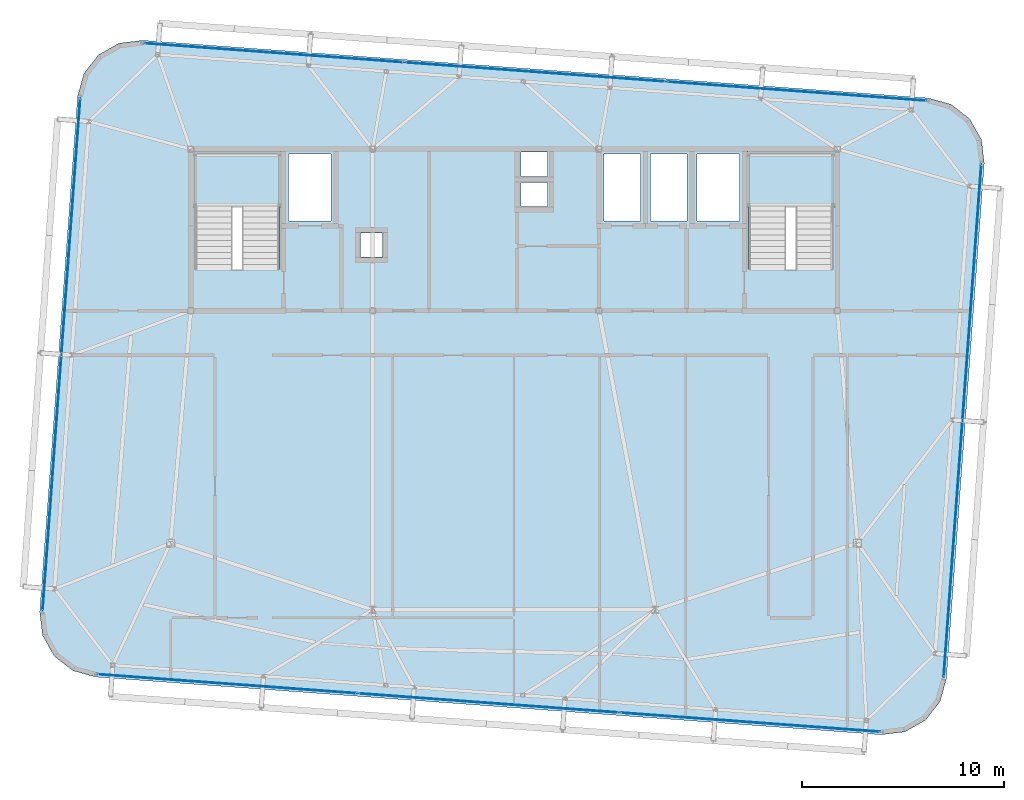
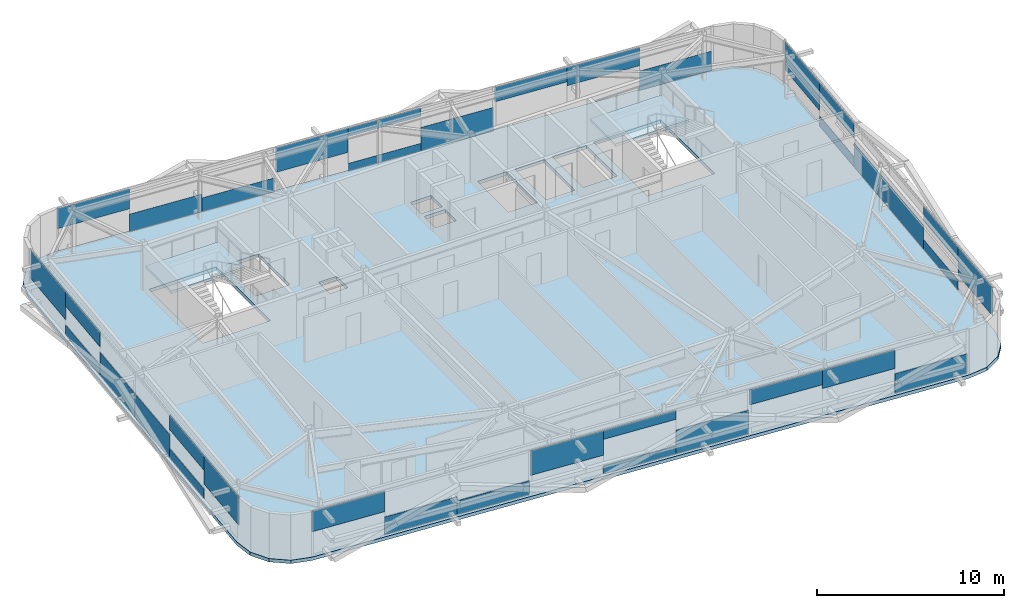
# One storey, part 23 of 34: 36 plates, 3 slabs, 6 elements without a shape of their own.
"""IFC4 building model written with IfcOpenShell, lengths in metres."""

from ifc_helpers import new_model, si_unit, direction, frame, origin, origin_2d, place, context, subcontext, project, spatial, polyline, rectangle, outline, extrude, source, transform, mapped, material, layer, layer_set, type_object, element, aggregate, save


model = new_model("IFC4")

# Units and contexts
model_context = context("Model", 3, precision=1e-05, world=origin(), true_north=direction((0.0, 1.0)))
body_context = subcontext(model_context, "Body", "Model", "MODEL_VIEW")
ifc_project = project(units=[si_unit("LENGTHUNIT", "METRE"), si_unit("AREAUNIT", "SQUARE_METRE"), si_unit("VOLUMEUNIT", "CUBIC_METRE"), si_unit("PLANEANGLEUNIT", "RADIAN"), si_unit("MASSUNIT", "GRAM", prefix="KILO")], contexts=[model_context])

# Site, building, storey
site_placement = place(None, origin())
site = spatial("IfcSite", under=ifc_project, at=site_placement, CompositionType="ELEMENT")
building_placement = place(site_placement, origin())
building = spatial("IfcBuilding", under=site, at=building_placement, Name="Taldren Reach Tower", CompositionType="ELEMENT")
storey_placement = place(building_placement, frame((0.0, 0.0, 242.89990234375)))
storey = spatial("IfcBuildingStorey", under=building, at=storey_placement, Name="L74", CompositionType="ELEMENT", Elevation=242.89990234375)

# Slab
ifc_material_1 = material(Name="Concrete N40 (40 MPa)", Category="concrete")
ifc_layer_1 = layer(ifc_material_1, 0.219970703125)
ifc_layer_set_1 = layer_set([ifc_layer_1], Name="Concrete N40 (40 MPa)")
slab_type_1 = type_object("IfcSlabType", Name="SL-FLR-220", PredefinedType="FLOOR", material=ifc_layer_set_1)
slab_1_placement = place(storey_placement, frame((0.0, 0.0, -0.219970703125)))
element("IfcSlab", 1, at=slab_1_placement, inside=storey, type_object=slab_type_1, Name="Suspended floor slab L74", PredefinedType="FLOOR", context=body_context, shape_type="SweptSolid", body=[
    extrude(outline(polyline([(53.1904296875, 3.014404296875), (54.35205078125, 3.157958984375), (55.370361328125, 3.7353515625), (56.09033203125, 4.658203125), (56.402099609375, 5.78662109375), (58.277099609375, 31.31787109375), (58.13330078125, 32.4794921875), (57.55615234375, 33.497802734375), (56.633056640625, 34.217529296875), (55.5048828125, 34.529541015625), (16.609619140625, 37.3857421875), (15.44775390625, 37.241943359375), (14.429443359375, 36.664794921875), (13.709716796875, 35.74169921875), (13.39794921875, 34.613525390625), (11.52294921875, 9.082275390625), (11.666748046875, 7.920654296875), (12.243896484375, 6.90234375), (13.1669921875, 6.182373046875), (14.295166015625, 5.87060546875), (53.1904296875, 3.014404296875)]), holes=[polyline([(19.219970703125, 26.050048828125), (23.3798828125, 26.050048828125), (23.3798828125, 31.820068359375), (19.219970703125, 31.820068359375), (19.219970703125, 26.050048828125)]), polyline([(46.6201171875, 26.050048828125), (50.780029296875, 26.050048828125), (50.780029296875, 31.820068359375), (46.6201171875, 31.820068359375), (46.6201171875, 26.050048828125)]), polyline([(23.85009765625, 28.449951171875), (25.949951171875, 28.449951171875), (25.949951171875, 31.75), (23.85009765625, 31.75), (23.85009765625, 28.449951171875)]), polyline([(44.050048828125, 28.449951171875), (46.14990234375, 28.449951171875), (46.14990234375, 31.75), (44.050048828125, 31.75), (44.050048828125, 28.449951171875)]), polyline([(39.449951171875, 28.449951171875), (41.25, 28.449951171875), (41.25, 31.75), (39.449951171875, 31.75), (39.449951171875, 28.449951171875)]), polyline([(41.75, 28.449951171875), (43.550048828125, 28.449951171875), (43.550048828125, 31.75), (41.75, 31.75), (41.75, 28.449951171875)]), polyline([(35.35009765625, 30.64990234375), (36.64990234375, 30.64990234375), (36.64990234375, 31.85009765625), (35.35009765625, 31.85009765625), (35.35009765625, 30.64990234375)]), polyline([(35.35009765625, 29.14990234375), (36.64990234375, 29.14990234375), (36.64990234375, 30.35009765625), (35.35009765625, 30.35009765625), (35.35009765625, 29.14990234375)]), polyline([(27.39990234375, 26.64990234375), (28.5, 26.64990234375), (28.5, 27.85009765625), (27.39990234375, 27.85009765625), (27.39990234375, 26.64990234375)])]), origin(), (0.0, 0.0, 1.0), 0.219970703125),
])

# Stair, slab
ifc_material_2 = material(Name="Concrete S50 (50 MPa)", Category="concrete")
stair_type = type_object("IfcStairType", Name="ST-HT-315", PredefinedType="HALF_TURN_STAIR", material=ifc_material_2)
stair_1_placement = place(storey_placement, origin())
stair_1 = element("IfcStair", 2, at=stair_1_placement, inside=storey, type_object=stair_type, Name="Fire-isolated exit stair ST1 L74", PredefinedType="HALF_TURN_STAIR")
ifc_layer_2 = layer(ifc_material_2, 0.179931640625)
ifc_layer_set_2 = layer_set([ifc_layer_2], Name="Concrete S50 (50 MPa)")
slab_type_2 = type_object("IfcSlabType", Name="SL-LAND-180", PredefinedType="LANDING", material=ifc_layer_set_2)
slab_2_placement = place(storey_placement, frame((0.0, 0.0, 1.39501953125)))
slab_2 = element("IfcSlab", 3, at=slab_2_placement, type_object=slab_type_2, Name="ST1 landing 1", PredefinedType="LANDING", context=body_context, shape_type="SweptSolid", body=[
    extrude(outline(polyline([(19.0400390625, 29.135009765625), (23.56005859375, 29.135009765625), (23.56005859375, 31.8701171875), (19.0400390625, 31.8701171875), (19.0400390625, 29.135009765625)])), origin(), (0.0, 0.0, 1.0), 0.18017578125),
])
aggregate(stair_1, [slab_2])

stair_2_placement = place(storey_placement, origin())
stair_2 = element("IfcStair", 4, at=stair_2_placement, inside=storey, type_object=stair_type, Name="Fire-isolated exit stair ST2 L74", PredefinedType="HALF_TURN_STAIR")
slab_3_placement = place(storey_placement, frame((0.0, 0.0, 1.39501953125)))
slab_3 = element("IfcSlab", 5, at=slab_3_placement, type_object=slab_type_2, Name="ST2 landing 1", PredefinedType="LANDING", context=body_context, shape_type="SweptSolid", body=[
    extrude(outline(polyline([(46.43994140625, 29.135009765625), (50.9599609375, 29.135009765625), (50.9599609375, 31.8701171875), (46.43994140625, 31.8701171875), (46.43994140625, 29.135009765625)])), origin(), (0.0, 0.0, 1.0), 0.18017578125),
])
aggregate(stair_2, [slab_3])

# Curtain wall, plate
ifc_material_3 = material(Name="Aluminium and Low-E Glass Unitised System", Category="aluminium")
ifc_layer_3 = layer(ifc_material_3, 0.159912109375)
ifc_layer_set_3 = layer_set([ifc_layer_3], Name="Aluminium and Low-E Glass Unitised System")
curtain_wall_type = type_object("IfcCurtainWallType", Name="CW-SYS-6", PredefinedType="NOTDEFINED", material=ifc_layer_set_3)
curtain_wall_1_placement = place(storey_placement, origin())
curtain_wall_1 = element("IfcCurtainWall", 6, at=curtain_wall_1_placement, inside=storey, type_object=curtain_wall_type, Name="Unitised curtain wall CW-L74-S", PredefinedType="NOTDEFINED")
ifc_material_4 = material(Name="Acoustic Triple-Laminated IGU", Category="glass")
ifc_layer_4 = layer(ifc_material_4, 0.035888671875)
ifc_layer_set_4 = layer_set([ifc_layer_4], Name="Acoustic Triple-Laminated IGU")
plate_type = type_object("IfcPlateType", Name="CW-PNL-IGU36", PredefinedType="CURTAIN_PANEL", material=ifc_layer_set_4)
shared_shape_1 = source(origin(), body_context, "Body", "SweptSolid", [
    extrude(rectangle(XDim=4.2958984375, YDim=0.035888671875, at=origin_2d()), origin(), (0.0, 0.0, 1.0), 1.314208984375),
])
plate_1_placement = place(storey_placement, frame((16.5224609375, 5.847412109375, 1.55615234375), z_axis=(0.0, 0.0, 1.0), x_axis=(0.997314476006, -0.073238213716, 0.0)))
plate_1 = element("IfcPlate", 7, at=plate_1_placement, type_object=plate_type, Name="CW-6 panel 1.1 part 1", PredefinedType="CURTAIN_PANEL", context=body_context, shape_type="MappedRepresentation", body=[
    mapped(shared_shape_1, transform((0.0, 0.0, 0.0), scale=1.0)),
])

curtain_wall_2_placement = place(storey_placement, origin())
curtain_wall_2 = element("IfcCurtainWall", 8, at=curtain_wall_2_placement, inside=storey, type_object=curtain_wall_type, Name="Unitised curtain wall CW-L74-N", PredefinedType="NOTDEFINED")
plate_2_placement = place(storey_placement, frame((18.816162109375, 37.083251953125, 1.55615234375), z_axis=(0.0, 0.0, 1.0), x_axis=(-0.997314476006, 0.073238213716, 0.0)))
plate_2 = element("IfcPlate", 9, at=plate_2_placement, type_object=plate_type, Name="CW-6 panel 3.1 part 3", PredefinedType="CURTAIN_PANEL", context=body_context, shape_type="MappedRepresentation", body=[
    mapped(shared_shape_1, transform((0.0, 0.0, 0.0), scale=1.0)),
])

# Plate
shared_shape_2 = source(origin(), body_context, "Body", "SweptSolid", [
    extrude(rectangle(XDim=4.2958984375, YDim=0.035888671875, at=origin_2d()), origin(), (0.0, 0.0, 1.0), 1.144287109375),
])
plate_3_placement = place(storey_placement, frame((20.806640625, 5.53271484375, 0.06005859375), z_axis=(0.0, 0.0, 1.0), x_axis=(0.997314476006, -0.073238213716, 0.0)))
plate_3 = element("IfcPlate", 10, at=plate_3_placement, type_object=plate_type, Name="CW-6 panel 1.1 part 2", PredefinedType="CURTAIN_PANEL", context=body_context, shape_type="MappedRepresentation", body=[
    mapped(shared_shape_2, transform((0.0, 0.0, 0.0), scale=1.0)),
])

plate_4_placement = place(storey_placement, frame((23.1005859375, 36.7685546875, 0.06005859375), z_axis=(0.0, 0.0, 1.0), x_axis=(-0.997314476006, 0.073238213716, 0.0)))
plate_4 = element("IfcPlate", 11, at=plate_4_placement, type_object=plate_type, Name="CW-6 panel 3.1 part 2", PredefinedType="CURTAIN_PANEL", context=body_context, shape_type="MappedRepresentation", body=[
    mapped(shared_shape_2, transform((0.0, 0.0, 0.0), scale=1.0)),
])

shared_shape_3 = source(origin(), body_context, "Body", "SweptSolid", [
    extrude(rectangle(XDim=4.2958984375, YDim=0.035888671875, at=origin_2d()), origin(), (0.0, 0.0, 1.0), 0.89306640625),
])
plate_5_placement = place(storey_placement, frame((25.091064453125, 5.21826171875, 0.06005859375), z_axis=(0.0, 0.0, 1.0), x_axis=(0.997314476006, -0.073238213716, 0.0)))
plate_5 = element("IfcPlate", 12, at=plate_5_placement, type_object=plate_type, Name="CW-6 panel 1.1 part 3", PredefinedType="CURTAIN_PANEL", context=body_context, shape_type="MappedRepresentation", body=[
    mapped(shared_shape_3, transform((0.0, 0.0, 0.0), scale=1.0)),
])

plate_6_placement = place(storey_placement, frame((27.384765625, 36.4541015625, 0.06005859375), z_axis=(0.0, 0.0, 1.0), x_axis=(-0.997314476006, 0.073238213716, 0.0)))
plate_6 = element("IfcPlate", 13, at=plate_6_placement, type_object=plate_type, Name="CW-6 panel 3.1 part 1", PredefinedType="CURTAIN_PANEL", context=body_context, shape_type="MappedRepresentation", body=[
    mapped(shared_shape_3, transform((0.0, 0.0, 0.0), scale=1.0)),
])

shared_shape_4 = source(origin(), body_context, "Body", "SweptSolid", [
    extrude(rectangle(XDim=4.308349609375, YDim=0.035888671875, at=origin_2d()), origin(), (0.0, 0.0, 1.0), 1.589599609375),
])
plate_7_placement = place(storey_placement, frame((29.456298828125, 4.897705078125, 1.2802734375), z_axis=(0.0, 0.0, 1.0), x_axis=(0.997314476006, -0.073238213716, 0.0)))
plate_7 = element("IfcPlate", 14, at=plate_7_placement, type_object=plate_type, Name="CW-6 panel 2.1 part 1", PredefinedType="CURTAIN_PANEL", context=body_context, shape_type="MappedRepresentation", body=[
    mapped(shared_shape_4, transform((0.0, 0.0, 0.0), scale=1.0)),
])

plate_8_placement = place(storey_placement, frame((31.750244140625, 36.133544921875, 1.2802734375), z_axis=(0.0, 0.0, 1.0), x_axis=(-0.997314476006, 0.073238213716, 0.0)))
plate_8 = element("IfcPlate", 15, at=plate_8_placement, type_object=plate_type, Name="CW-6 panel 2.1 part 4", PredefinedType="CURTAIN_PANEL", context=body_context, shape_type="MappedRepresentation", body=[
    mapped(shared_shape_4, transform((0.0, 0.0, 0.0), scale=1.0)),
])

shared_shape_5 = source(origin(), body_context, "Body", "SweptSolid", [
    extrude(rectangle(XDim=4.308349609375, YDim=0.035888671875, at=origin_2d()), origin(), (0.0, 0.0, 1.0), 0.499267578125),
])
plate_9_placement = place(storey_placement, frame((33.753173828125, 4.58203125, 0.06005859375), z_axis=(0.0, 0.0, 1.0), x_axis=(0.997314476006, -0.073238213716, 0.0)))
plate_9 = element("IfcPlate", 16, at=plate_9_placement, type_object=plate_type, Name="CW-6 panel 2.1 part 2", PredefinedType="CURTAIN_PANEL", context=body_context, shape_type="MappedRepresentation", body=[
    mapped(shared_shape_5, transform((0.0, 0.0, 0.0), scale=1.0)),
])

plate_10_placement = place(storey_placement, frame((36.046875, 35.81787109375, 0.06005859375), z_axis=(0.0, 0.0, 1.0), x_axis=(-0.997314476006, 0.073238213716, 0.0)))
plate_10 = element("IfcPlate", 17, at=plate_10_placement, type_object=plate_type, Name="CW-6 panel 2.1 part 2", PredefinedType="CURTAIN_PANEL", context=body_context, shape_type="MappedRepresentation", body=[
    mapped(shared_shape_5, transform((0.0, 0.0, 0.0), scale=1.0)),
])

shared_shape_6 = source(origin(), body_context, "Body", "SweptSolid", [
    extrude(rectangle(XDim=4.308349609375, YDim=0.035888671875, at=origin_2d()), origin(), (0.0, 0.0, 1.0), 0.559326171875),
])
plate_11_placement = place(storey_placement, frame((33.753173828125, 4.58203125, 2.310546875), z_axis=(0.0, 0.0, 1.0), x_axis=(0.997314476006, -0.073238213716, 0.0)))
plate_11 = element("IfcPlate", 18, at=plate_11_placement, type_object=plate_type, Name="CW-6 panel 2.1 part 3", PredefinedType="CURTAIN_PANEL", context=body_context, shape_type="MappedRepresentation", body=[
    mapped(shared_shape_6, transform((0.0, 0.0, 0.0), scale=1.0)),
])

plate_12_placement = place(storey_placement, frame((36.046875, 35.81787109375, 2.310546875), z_axis=(0.0, 0.0, 1.0), x_axis=(-0.997314476006, 0.073238213716, 0.0)))
plate_12 = element("IfcPlate", 19, at=plate_12_placement, type_object=plate_type, Name="CW-6 panel 2.1 part 3", PredefinedType="CURTAIN_PANEL", context=body_context, shape_type="MappedRepresentation", body=[
    mapped(shared_shape_6, transform((0.0, 0.0, 0.0), scale=1.0)),
])

shared_shape_7 = source(origin(), body_context, "Body", "SweptSolid", [
    extrude(rectangle(XDim=4.308349609375, YDim=0.035888671875, at=origin_2d()), origin(), (0.0, 0.0, 1.0), 1.52978515625),
])
plate_13_placement = place(storey_placement, frame((38.0498046875, 4.2666015625, 0.06005859375), z_axis=(0.0, 0.0, 1.0), x_axis=(0.997314476006, -0.073238213716, 0.0)))
plate_13 = element("IfcPlate", 20, at=plate_13_placement, type_object=plate_type, Name="CW-6 panel 2.1 part 4", PredefinedType="CURTAIN_PANEL", context=body_context, shape_type="MappedRepresentation", body=[
    mapped(shared_shape_7, transform((0.0, 0.0, 0.0), scale=1.0)),
])

plate_14_placement = place(storey_placement, frame((40.34375, 35.50244140625, 0.06005859375), z_axis=(0.0, 0.0, 1.0), x_axis=(-0.997314476006, 0.073238213716, 0.0)))
plate_14 = element("IfcPlate", 21, at=plate_14_placement, type_object=plate_type, Name="CW-6 panel 2.1 part 1", PredefinedType="CURTAIN_PANEL", context=body_context, shape_type="MappedRepresentation", body=[
    mapped(shared_shape_7, transform((0.0, 0.0, 0.0), scale=1.0)),
])

shared_shape_8 = source(origin(), body_context, "Body", "SweptSolid", [
    extrude(rectangle(XDim=4.2958984375, YDim=0.035888671875, at=origin_2d()), origin(), (0.0, 0.0, 1.0), 0.952880859375),
])
plate_15_placement = place(storey_placement, frame((42.415283203125, 3.946044921875, 1.9169921875), z_axis=(0.0, 0.0, 1.0), x_axis=(0.997314476006, -0.073238213716, 0.0)))
plate_15 = element("IfcPlate", 22, at=plate_15_placement, type_object=plate_type, Name="CW-6 panel 3.1 part 1", PredefinedType="CURTAIN_PANEL", context=body_context, shape_type="MappedRepresentation", body=[
    mapped(shared_shape_8, transform((0.0, 0.0, 0.0), scale=1.0)),
])

plate_16_placement = place(storey_placement, frame((44.708984375, 35.181884765625, 1.9169921875), z_axis=(0.0, 0.0, 1.0), x_axis=(-0.997314476006, 0.073238213716, 0.0)))
plate_16 = element("IfcPlate", 23, at=plate_16_placement, type_object=plate_type, Name="CW-6 panel 1.1 part 3", PredefinedType="CURTAIN_PANEL", context=body_context, shape_type="MappedRepresentation", body=[
    mapped(shared_shape_8, transform((0.0, 0.0, 0.0), scale=1.0)),
])

shared_shape_9 = source(origin(), body_context, "Body", "SweptSolid", [
    extrude(rectangle(XDim=4.2958984375, YDim=0.035888671875, at=origin_2d()), origin(), (0.0, 0.0, 1.0), 1.2041015625),
])
plate_17_placement = place(storey_placement, frame((46.699462890625, 3.63134765625, 1.666015625), z_axis=(0.0, 0.0, 1.0), x_axis=(0.997314476006, -0.073238213716, 0.0)))
plate_17 = element("IfcPlate", 24, at=plate_17_placement, type_object=plate_type, Name="CW-6 panel 3.1 part 2", PredefinedType="CURTAIN_PANEL", context=body_context, shape_type="MappedRepresentation", body=[
    mapped(shared_shape_9, transform((0.0, 0.0, 0.0), scale=1.0)),
])

plate_18_placement = place(storey_placement, frame((48.993408203125, 34.8671875, 1.666015625), z_axis=(0.0, 0.0, 1.0), x_axis=(-0.997314476006, 0.073238213716, 0.0)))
plate_18 = element("IfcPlate", 25, at=plate_18_placement, type_object=plate_type, Name="CW-6 panel 1.1 part 2", PredefinedType="CURTAIN_PANEL", context=body_context, shape_type="MappedRepresentation", body=[
    mapped(shared_shape_9, transform((0.0, 0.0, 0.0), scale=1.0)),
])

shared_shape_10 = source(origin(), body_context, "Body", "SweptSolid", [
    extrude(rectangle(XDim=4.2958984375, YDim=0.035888671875, at=origin_2d()), origin(), (0.0, 0.0, 1.0), 1.254150390625),
])
plate_19_placement = place(storey_placement, frame((50.98388671875, 3.316650390625, 0.06005859375), z_axis=(0.0, 0.0, 1.0), x_axis=(0.997314476006, -0.073238213716, 0.0)))
plate_19 = element("IfcPlate", 26, at=plate_19_placement, type_object=plate_type, Name="CW-6 panel 3.1 part 3", PredefinedType="CURTAIN_PANEL", context=body_context, shape_type="MappedRepresentation", body=[
    mapped(shared_shape_10, transform((0.0, 0.0, 0.0), scale=1.0)),
])

aggregate(curtain_wall_1, [plate_1, plate_3, plate_5, plate_7, plate_9, plate_11, plate_13, plate_15, plate_17, plate_19])

plate_20_placement = place(storey_placement, frame((53.277587890625, 34.552490234375, 0.06005859375), z_axis=(0.0, 0.0, 1.0), x_axis=(-0.997314476006, 0.073238213716, 0.0)))
plate_20 = element("IfcPlate", 27, at=plate_20_placement, type_object=plate_type, Name="CW-6 panel 1.1 part 1", PredefinedType="CURTAIN_PANEL", context=body_context, shape_type="MappedRepresentation", body=[
    mapped(shared_shape_10, transform((0.0, 0.0, 0.0), scale=1.0)),
])

aggregate(curtain_wall_2, [plate_20, plate_18, plate_16, plate_14, plate_10, plate_12, plate_8, plate_6, plate_4, plate_2])

# Curtain wall, plates
curtain_wall_3_placement = place(storey_placement, origin())
curtain_wall_3 = element("IfcCurtainWall", 28, at=curtain_wall_3_placement, inside=storey, type_object=curtain_wall_type, Name="Unitised curtain wall CW-L74-W", PredefinedType="NOTDEFINED")
shared_shape_11 = source(origin(), body_context, "Body", "SweptSolid", [
    extrude(rectangle(XDim=4.229248046875, YDim=0.035888671875, at=origin_2d()), origin(), (0.0, 0.0, 1.0), 1.82861328125),
])
plate_21_placement = place(storey_placement, frame((13.377197265625, 32.41943359375, 1.04150390625), z_axis=(0.0, 0.0, 1.0), x_axis=(-0.073238282558, -0.997314470951, 0.0)))
plate_21 = element("IfcPlate", 29, at=plate_21_placement, type_object=plate_type, Name="CW-6 panel 1.1 part 1", PredefinedType="CURTAIN_PANEL", context=body_context, shape_type="MappedRepresentation", body=[
    mapped(shared_shape_11, transform((0.0, 0.0, 0.0), scale=1.0)),
])
plate_22_placement = place(storey_placement, frame((11.822998046875, 11.255615234375, 1.04150390625), z_axis=(0.0, 0.0, 1.0), x_axis=(-0.073238282558, -0.997314470951, 0.0)))
plate_22 = element("IfcPlate", 30, at=plate_22_placement, type_object=plate_type, Name="CW-6 panel 2.1 part 4", PredefinedType="CURTAIN_PANEL", context=body_context, shape_type="MappedRepresentation", body=[
    mapped(shared_shape_11, transform((0.0, 0.0, 0.0), scale=1.0)),
])

curtain_wall_4_placement = place(storey_placement, origin())
curtain_wall_4 = element("IfcCurtainWall", 31, at=curtain_wall_4_placement, inside=storey, type_object=curtain_wall_type, Name="Unitised curtain wall CW-L74-E", PredefinedType="NOTDEFINED")
plate_23_placement = place(storey_placement, frame((56.4228515625, 7.98046875, 1.04150390625), z_axis=(0.0, 0.0, 1.0), x_axis=(0.073238282558, 0.997314470951, 0.0)))
plate_23 = element("IfcPlate", 32, at=plate_23_placement, type_object=plate_type, Name="CW-6 panel 1.1 part 1", PredefinedType="CURTAIN_PANEL", context=body_context, shape_type="MappedRepresentation", body=[
    mapped(shared_shape_11, transform((0.0, 0.0, 0.0), scale=1.0)),
])
plate_24_placement = place(storey_placement, frame((57.97705078125, 29.144287109375, 1.04150390625), z_axis=(0.0, 0.0, 1.0), x_axis=(0.073238282558, 0.997314470951, 0.0)))
plate_24 = element("IfcPlate", 33, at=plate_24_placement, type_object=plate_type, Name="CW-6 panel 2.1 part 4", PredefinedType="CURTAIN_PANEL", context=body_context, shape_type="MappedRepresentation", body=[
    mapped(shared_shape_11, transform((0.0, 0.0, 0.0), scale=1.0)),
])

# Plate
shared_shape_12 = source(origin(), body_context, "Body", "SweptSolid", [
    extrude(rectangle(XDim=4.229248046875, YDim=0.035888671875, at=origin_2d()), origin(), (0.0, 0.0, 1.0), 0.63916015625),
])
plate_25_placement = place(storey_placement, frame((13.0673828125, 28.20166015625, 0.06005859375), z_axis=(0.0, 0.0, 1.0), x_axis=(-0.073238282558, -0.997314470951, 0.0)))
plate_25 = element("IfcPlate", 34, at=plate_25_placement, type_object=plate_type, Name="CW-6 panel 1.1 part 2", PredefinedType="CURTAIN_PANEL", context=body_context, shape_type="MappedRepresentation", body=[
    mapped(shared_shape_12, transform((0.0, 0.0, 0.0), scale=1.0)),
])

plate_26_placement = place(storey_placement, frame((12.1328125, 15.473388671875, 0.06005859375), z_axis=(0.0, 0.0, 1.0), x_axis=(-0.073238282558, -0.997314470951, 0.0)))
plate_26 = element("IfcPlate", 35, at=plate_26_placement, type_object=plate_type, Name="CW-6 panel 2.1 part 2", PredefinedType="CURTAIN_PANEL", context=body_context, shape_type="MappedRepresentation", body=[
    mapped(shared_shape_12, transform((0.0, 0.0, 0.0), scale=1.0)),
])

plate_27_placement = place(storey_placement, frame((56.732666015625, 12.1982421875, 0.06005859375), z_axis=(0.0, 0.0, 1.0), x_axis=(0.073238282558, 0.997314470951, 0.0)))
plate_27 = element("IfcPlate", 36, at=plate_27_placement, type_object=plate_type, Name="CW-6 panel 1.1 part 2", PredefinedType="CURTAIN_PANEL", context=body_context, shape_type="MappedRepresentation", body=[
    mapped(shared_shape_12, transform((0.0, 0.0, 0.0), scale=1.0)),
])

plate_28_placement = place(storey_placement, frame((57.667236328125, 24.926513671875, 0.06005859375), z_axis=(0.0, 0.0, 1.0), x_axis=(0.073238282558, 0.997314470951, 0.0)))
plate_28 = element("IfcPlate", 37, at=plate_28_placement, type_object=plate_type, Name="CW-6 panel 2.1 part 2", PredefinedType="CURTAIN_PANEL", context=body_context, shape_type="MappedRepresentation", body=[
    mapped(shared_shape_12, transform((0.0, 0.0, 0.0), scale=1.0)),
])

shared_shape_13 = source(origin(), body_context, "Body", "SweptSolid", [
    extrude(rectangle(XDim=4.229248046875, YDim=0.035888671875, at=origin_2d()), origin(), (0.0, 0.0, 1.0), 0.94287109375),
])
plate_29_placement = place(storey_placement, frame((13.0673828125, 28.20166015625, 1.92724609375), z_axis=(0.0, 0.0, 1.0), x_axis=(-0.073238282558, -0.997314470951, 0.0)))
plate_29 = element("IfcPlate", 38, at=plate_29_placement, type_object=plate_type, Name="CW-6 panel 1.1 part 3", PredefinedType="CURTAIN_PANEL", context=body_context, shape_type="MappedRepresentation", body=[
    mapped(shared_shape_13, transform((0.0, 0.0, 0.0), scale=1.0)),
])

plate_30_placement = place(storey_placement, frame((12.1328125, 15.473388671875, 1.92724609375), z_axis=(0.0, 0.0, 1.0), x_axis=(-0.073238282558, -0.997314470951, 0.0)))
plate_30 = element("IfcPlate", 39, at=plate_30_placement, type_object=plate_type, Name="CW-6 panel 2.1 part 3", PredefinedType="CURTAIN_PANEL", context=body_context, shape_type="MappedRepresentation", body=[
    mapped(shared_shape_13, transform((0.0, 0.0, 0.0), scale=1.0)),
])

plate_31_placement = place(storey_placement, frame((56.732666015625, 12.1982421875, 1.92724609375), z_axis=(0.0, 0.0, 1.0), x_axis=(0.073238282558, 0.997314470951, 0.0)))
plate_31 = element("IfcPlate", 40, at=plate_31_placement, type_object=plate_type, Name="CW-6 panel 1.1 part 3", PredefinedType="CURTAIN_PANEL", context=body_context, shape_type="MappedRepresentation", body=[
    mapped(shared_shape_13, transform((0.0, 0.0, 0.0), scale=1.0)),
])

plate_32_placement = place(storey_placement, frame((57.667236328125, 24.926513671875, 1.92724609375), z_axis=(0.0, 0.0, 1.0), x_axis=(0.073238282558, 0.997314470951, 0.0)))
plate_32 = element("IfcPlate", 41, at=plate_32_placement, type_object=plate_type, Name="CW-6 panel 2.1 part 3", PredefinedType="CURTAIN_PANEL", context=body_context, shape_type="MappedRepresentation", body=[
    mapped(shared_shape_13, transform((0.0, 0.0, 0.0), scale=1.0)),
])

shared_shape_14 = source(origin(), body_context, "Body", "SweptSolid", [
    extrude(rectangle(XDim=4.229248046875, YDim=0.035888671875, at=origin_2d()), origin(), (0.0, 0.0, 1.0), 1.525146484375),
])
plate_33_placement = place(storey_placement, frame((12.757568359375, 23.98388671875, 0.06005859375), z_axis=(0.0, 0.0, 1.0), x_axis=(-0.073238282558, -0.997314470951, 0.0)))
plate_33 = element("IfcPlate", 42, at=plate_33_placement, type_object=plate_type, Name="CW-6 panel 1.1 part 4", PredefinedType="CURTAIN_PANEL", context=body_context, shape_type="MappedRepresentation", body=[
    mapped(shared_shape_14, transform((0.0, 0.0, 0.0), scale=1.0)),
])

plate_34_placement = place(storey_placement, frame((12.4423828125, 19.69140625, 0.06005859375), z_axis=(0.0, 0.0, 1.0), x_axis=(-0.073238282558, -0.997314470951, 0.0)))
plate_34 = element("IfcPlate", 43, at=plate_34_placement, type_object=plate_type, Name="CW-6 panel 2.1 part 1", PredefinedType="CURTAIN_PANEL", context=body_context, shape_type="MappedRepresentation", body=[
    mapped(shared_shape_14, transform((0.0, 0.0, 0.0), scale=1.0)),
])

aggregate(curtain_wall_3, [plate_21, plate_25, plate_29, plate_33, plate_34, plate_26, plate_30, plate_22])

plate_35_placement = place(storey_placement, frame((57.042236328125, 16.416015625, 0.06005859375), z_axis=(0.0, 0.0, 1.0), x_axis=(0.073238282558, 0.997314470951, 0.0)))
plate_35 = element("IfcPlate", 44, at=plate_35_placement, type_object=plate_type, Name="CW-6 panel 1.1 part 4", PredefinedType="CURTAIN_PANEL", context=body_context, shape_type="MappedRepresentation", body=[
    mapped(shared_shape_14, transform((0.0, 0.0, 0.0), scale=1.0)),
])

plate_36_placement = place(storey_placement, frame((57.357666015625, 20.708740234375, 0.06005859375), z_axis=(0.0, 0.0, 1.0), x_axis=(0.073238282558, 0.997314470951, 0.0)))
plate_36 = element("IfcPlate", 45, at=plate_36_placement, type_object=plate_type, Name="CW-6 panel 2.1 part 1", PredefinedType="CURTAIN_PANEL", context=body_context, shape_type="MappedRepresentation", body=[
    mapped(shared_shape_14, transform((0.0, 0.0, 0.0), scale=1.0)),
])

aggregate(curtain_wall_4, [plate_23, plate_27, plate_31, plate_35, plate_36, plate_28, plate_32, plate_24])

save(model, "model.ifc")
